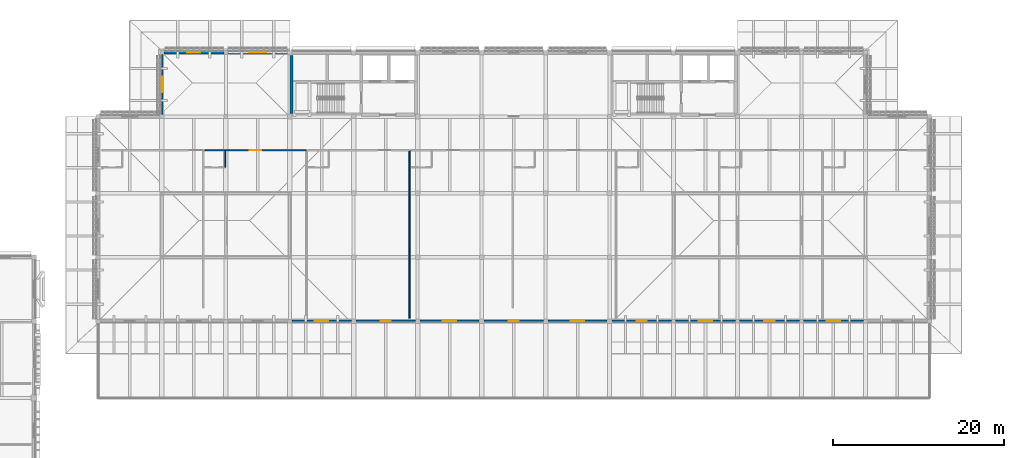
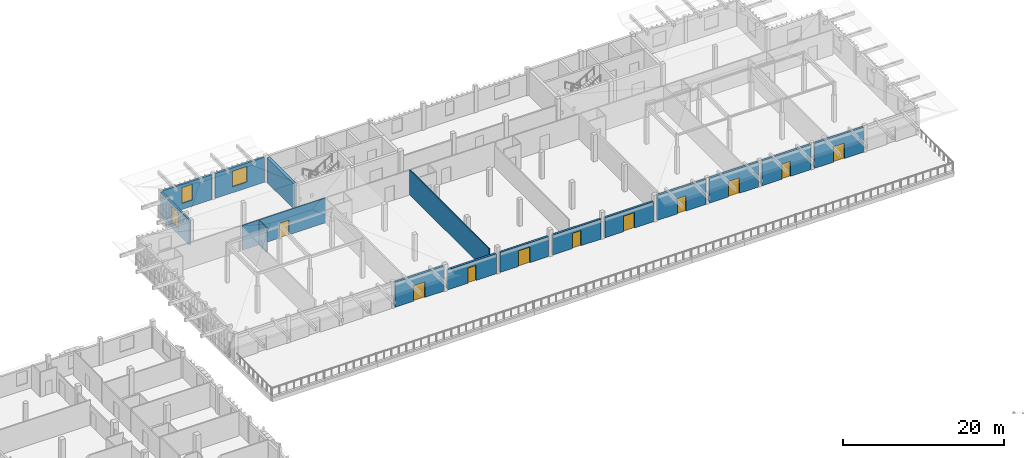
# One storey, part 23 of 48: 16 walls, 10 doors, 3 windows, 13 openings.
"""IFC4 building model written with IfcOpenShell, lengths in metres."""

from ifc_helpers import new_model, si_unit, direction, frame, frame_2d, origin, place, context, subcontext, project, spatial, rectangle, extrude, material, layer, layer_set, type_object, element, fill, save


model = new_model("IFC4")

# Units and contexts
model_context = context("Model", 3, precision=1e-05, world=origin(), true_north=direction((0.0, 1.0)))
body_context = subcontext(model_context, "Body", "Model", "MODEL_VIEW")
ifc_project = project(units=[si_unit("LENGTHUNIT", "METRE"), si_unit("AREAUNIT", "SQUARE_METRE"), si_unit("VOLUMEUNIT", "CUBIC_METRE"), si_unit("PLANEANGLEUNIT", "RADIAN"), si_unit("MASSUNIT", "GRAM", prefix="KILO")], contexts=[model_context])

# Site, building, storey
site_placement = place(None, origin())
site = spatial("IfcSite", under=ifc_project, at=site_placement, CompositionType="ELEMENT")
building_placement = place(site_placement, origin())
building = spatial("IfcBuilding", under=site, at=building_placement, Name="Dalvernix Boulevard General Hospital", CompositionType="ELEMENT")
storey_placement = place(building_placement, frame((0.0, 0.0, 17.85009765625)))
storey = spatial("IfcBuildingStorey", under=building, at=storey_placement, Name="L04", CompositionType="ELEMENT", Elevation=17.85009765625)

# Wall
ifc_material_1 = material(Name="Concrete C40/50", Category="concrete")
ifc_layer_1 = layer(ifc_material_1, 0.39990234375)
ifc_layer_set_1 = layer_set([ifc_layer_1], Name="Concrete C40/50 (WAL-CSW-01)")
wall_type_1 = type_object("IfcWallType", Name="WAL-CSW-01", PredefinedType="SHEAR", material=ifc_layer_set_1)
wall_1_placement = place(storey_placement, frame((60.199951171875, 109.85009765625, 0.0), z_axis=(0.0, 0.0, 1.0), x_axis=(0.0, 1.0, 0.0)))
element("IfcWall", 1, at=wall_1_placement, inside=storey, type_object=wall_type_1, Name="L04 C3 west core wall", PredefinedType="SHEAR", context=body_context, shape_type="SweptSolid", body=[
    extrude(rectangle(XDim=6.7998046875, YDim=0.39990234375, at=frame_2d((3.39990234375, 0.0))), origin(), (0.0, 0.0, 1.0), 3.77001953125),
])

# Wall, opening, window
ifc_material_2 = material(Name="Pressed Catalan clay brick and ceramic spandrel wall C35/45", Category="masonry")
ifc_layer_2 = layer(ifc_material_2, 0.300048828125)
ifc_layer_set_2 = layer_set([ifc_layer_2], Name="Pressed Catalan clay brick and ceramic spandrel wall C35/45 (WAL-EW-02)")
wall_type_2 = type_object("IfcWallType", Name="WAL-EW-02", PredefinedType="STANDARD", material=ifc_layer_set_2)
wall_2_placement = place(storey_placement, frame((45.235107421875, 117.0, 0.0), z_axis=(0.0, 0.0, 1.0), x_axis=(1.0, 0.0, 0.0)))
wall_2 = element("IfcWall", 2, at=wall_2_placement, inside=storey, type_object=wall_type_2, Name="L04 Catalan brick external wall N 6-15", PredefinedType="STANDARD", context=body_context, shape_type="SweptSolid", body=[
    extrude(rectangle(XDim=7.02978515625, YDim=0.300048828125, at=frame_2d((3.514892578125, 0.0))), origin(), (0.0, 0.0, 1.0), 3.77001953125),
])
opening_1_placement = place(wall_2_placement, frame((2.764892578125, 0.0, 0.89990234375)))
opening_1 = element("IfcOpeningElement", 3, at=opening_1_placement, cuts=wall_2, Name="Opening WN-02", PredefinedType="OPENING", context=body_context, shape_type="SweptSolid", body=[
    extrude(rectangle(XDim=1.5, YDim=2.39990234375, at=frame_2d((0.75, 1.199951171875))), frame((0.0, 0.159912109375, 0.0), z_axis=(0.0, -1.0, 0.0), x_axis=(1.0, 0.0, 0.0)), (0.0, 0.0, 1.0), 0.320068359375),
])
ifc_material_3 = material(Name="Thermally broken aluminium frame with solar-control double glazing", Category="aluminium")
window_type_1 = type_object("IfcWindowType", Name="WIN-WN-02", PartitioningType="SINGLE_PANEL", PredefinedType="WINDOW", material=ifc_material_3)
window_1_placement = place(opening_1_placement, origin())
window_1 = element("IfcWindow", 4, at=window_1_placement, inside=storey, type_object=window_type_1, Name="L04 clinical window WN-02 N 6-15", OverallHeight=2.39990234375, OverallWidth=1.5, PartitioningType="SINGLE_PANEL", PredefinedType="WINDOW", context=body_context, shape_type="SweptSolid", body=[
    extrude(rectangle(XDim=1.5, YDim=2.39990234375, at=frame_2d((0.75, 1.199951171875))), frame((0.0, 0.030029296875, 0.0), z_axis=(0.0, -1.0, 0.0), x_axis=(1.0, 0.0, 0.0)), (0.0, 0.0, 1.0), 0.06005859375),
])
fill(opening_1, window_1)

wall_3_placement = place(storey_placement, frame((45.0, 109.735107421875, 0.0), z_axis=(0.0, 0.0, 1.0), x_axis=(0.0, 1.0, 0.0)))
wall_3 = element("IfcWall", 5, at=wall_3_placement, inside=storey, type_object=wall_type_2, Name="L04 Catalan brick external wall W 6-14", PredefinedType="STANDARD", context=body_context, shape_type="SweptSolid", body=[
    extrude(rectangle(XDim=7.02978515625, YDim=0.300048828125, at=frame_2d((3.514892578125, 0.0))), origin(), (0.0, 0.0, 1.0), 3.77001953125),
])
opening_2_placement = place(wall_3_placement, frame((2.614990234375, 0.0, 0.89990234375)))
opening_2 = element("IfcOpeningElement", 6, at=opening_2_placement, cuts=wall_3, Name="Opening WN-01", PredefinedType="OPENING", context=body_context, shape_type="SweptSolid", body=[
    extrude(rectangle(XDim=1.800048828125, YDim=2.39990234375, at=frame_2d((0.89990234375, 1.199951171875))), frame((0.0, 0.159912109375, 0.0), z_axis=(0.0, -1.0, 0.0), x_axis=(1.0, 0.0, 0.0)), (0.0, 0.0, 1.0), 0.320068359375),
])
window_type_2 = type_object("IfcWindowType", Name="WIN-WN-01", PartitioningType="SINGLE_PANEL", PredefinedType="WINDOW", material=ifc_material_3)
window_2_placement = place(opening_2_placement, origin())
window_2 = element("IfcWindow", 7, at=window_2_placement, inside=storey, type_object=window_type_2, Name="L04 clinical window WN-01 W 6-14", OverallHeight=2.39990234375, OverallWidth=1.800048828125, PartitioningType="SINGLE_PANEL", PredefinedType="WINDOW", context=body_context, shape_type="SweptSolid", body=[
    extrude(rectangle(XDim=1.800048828125, YDim=2.39990234375, at=frame_2d((0.89990234375, 1.199951171875))), frame((0.0, 0.030029296875, 0.0), z_axis=(0.0, -1.0, 0.0), x_axis=(1.0, 0.0, 0.0)), (0.0, 0.0, 1.0), 0.06005859375),
])
fill(opening_2, window_2)

wall_4_placement = place(storey_placement, frame((52.735107421875, 117.0, 0.0), z_axis=(0.0, 0.0, 1.0), x_axis=(1.0, 0.0, 0.0)))
wall_4 = element("IfcWall", 8, at=wall_4_placement, inside=storey, type_object=wall_type_2, Name="L04 Catalan brick external wall N 7-15", PredefinedType="STANDARD", context=body_context, shape_type="SweptSolid", body=[
    extrude(rectangle(XDim=7.0048828125, YDim=0.300048828125, at=frame_2d((3.50244140625, 0.0))), origin(), (0.0, 0.0, 1.0), 3.77001953125),
])
opening_3_placement = place(wall_4_placement, frame((2.452392578125, 0.0, 0.89990234375)))
opening_3 = element("IfcOpeningElement", 9, at=opening_3_placement, cuts=wall_4, Name="Opening WN-03", PredefinedType="OPENING", context=body_context, shape_type="SweptSolid", body=[
    extrude(rectangle(XDim=2.10009765625, YDim=2.39990234375, at=frame_2d((1.050048828125, 1.199951171875))), frame((0.0, 0.159912109375, 0.0), z_axis=(0.0, -1.0, 0.0), x_axis=(1.0, 0.0, 0.0)), (0.0, 0.0, 1.0), 0.320068359375),
])
window_type_3 = type_object("IfcWindowType", Name="WIN-WN-03", PartitioningType="SINGLE_PANEL", PredefinedType="WINDOW", material=ifc_material_3)
window_3_placement = place(opening_3_placement, origin())
window_3 = element("IfcWindow", 10, at=window_3_placement, inside=storey, type_object=window_type_3, Name="L04 clinical window WN-03 N 7-15", OverallHeight=2.39990234375, OverallWidth=2.10009765625, PartitioningType="SINGLE_PANEL", PredefinedType="WINDOW", context=body_context, shape_type="SweptSolid", body=[
    extrude(rectangle(XDim=2.10009765625, YDim=2.39990234375, at=frame_2d((1.050048828125, 1.199951171875))), frame((0.0, 0.030029296875, 0.0), z_axis=(0.0, -1.0, 0.0), x_axis=(1.0, 0.0, 0.0)), (0.0, 0.0, 1.0), 0.06005859375),
])
fill(opening_3, window_3)

# Wall, opening, door
wall_5_placement = place(storey_placement, frame((67.215087890625, 85.5, 0.0), z_axis=(0.0, 0.0, 1.0), x_axis=(-1.0, 0.0, 0.0)))
wall_5 = element("IfcWall", 11, at=wall_5_placement, inside=storey, type_object=wall_type_2, Name="L04 Catalan brick external wall S 8-11", PredefinedType="STANDARD", context=body_context, shape_type="SweptSolid", body=[
    extrude(rectangle(XDim=6.97998046875, YDim=0.300048828125, at=frame_2d((3.489990234375, 0.0))), origin(), (0.0, 0.0, 1.0), 3.77001953125),
])
opening_4_placement = place(wall_5_placement, frame((2.68994140625, 0.0, 0.0)))
opening_4 = element("IfcOpeningElement", 12, at=opening_4_placement, cuts=wall_5, Name="Opening TD-16", PredefinedType="OPENING", context=body_context, shape_type="SweptSolid", body=[
    extrude(rectangle(XDim=1.60009765625, YDim=2.35009765625, at=frame_2d((0.800048828125, 1.175048828125))), frame((0.0, 0.159912109375, 0.0), z_axis=(0.0, -1.0, 0.0), x_axis=(1.0, 0.0, 0.0)), (0.0, 0.0, 1.0), 0.320068359375),
])
ifc_material_4 = material(Name="Powder-coated aluminium and laminated safety glass", Category="aluminium")
door_type_1 = type_object("IfcDoorType", Name="DR-TD-16", OperationType="DOUBLE_DOOR_SINGLE_SWING", PredefinedType="DOOR", material=ifc_material_4)
door_1_placement = place(opening_4_placement, origin())
door_1 = element("IfcDoor", 13, at=door_1_placement, inside=storey, type_object=door_type_1, Name="L04 ward terrace access door S 8-11", OperationType="DOUBLE_DOOR_SINGLE_SWING", OverallHeight=2.35009765625, OverallWidth=1.60009765625, PredefinedType="DOOR", context=body_context, shape_type="SweptSolid", body=[
    extrude(rectangle(XDim=1.60009765625, YDim=2.35009765625, at=frame_2d((0.800048828125, 1.175048828125))), frame((0.0, 0.02490234375, 0.0), z_axis=(0.0, -1.0, 0.0), x_axis=(1.0, 0.0, 0.0)), (0.0, 0.0, 1.0), 0.050048828125),
])
fill(opening_4, door_1)

wall_6_placement = place(storey_placement, frame((74.739990234375, 85.5, 0.0), z_axis=(0.0, 0.0, 1.0), x_axis=(-1.0, 0.0, 0.0)))
wall_6 = element("IfcWall", 14, at=wall_6_placement, inside=storey, type_object=wall_type_2, Name="L04 Catalan brick external wall S 9-11", PredefinedType="STANDARD", context=body_context, shape_type="SweptSolid", body=[
    extrude(rectangle(XDim=6.955078125, YDim=0.300048828125, at=frame_2d((3.4775390625, 0.0))), origin(), (0.0, 0.0, 1.0), 3.02978515625),
])
opening_5_placement = place(wall_6_placement, frame((2.87744140625, 0.0, 0.0)))
opening_5 = element("IfcOpeningElement", 15, at=opening_5_placement, cuts=wall_6, Name="Opening TD-12", PredefinedType="OPENING", context=body_context, shape_type="SweptSolid", body=[
    extrude(rectangle(XDim=1.199951171875, YDim=2.300048828125, at=frame_2d((0.60009765625, 1.14990234375))), frame((0.0, 0.159912109375, 0.0), z_axis=(0.0, -1.0, 0.0), x_axis=(1.0, 0.0, 0.0)), (0.0, 0.0, 1.0), 0.320068359375),
])
door_type_2 = type_object("IfcDoorType", Name="DR-TD-12", OperationType="NOTDEFINED", PredefinedType="DOOR", material=ifc_material_4)
door_2_placement = place(opening_5_placement, origin())
door_2 = element("IfcDoor", 16, at=door_2_placement, inside=storey, type_object=door_type_2, Name="L04 ward terrace access door S 9-11", OperationType="SINGLE_SWING_RIGHT", OverallHeight=2.300048828125, OverallWidth=1.199951171875, PredefinedType="DOOR", context=body_context, shape_type="SweptSolid", body=[
    extrude(rectangle(XDim=1.199951171875, YDim=2.300048828125, at=frame_2d((0.60009765625, 1.14990234375))), frame((0.0, 0.02490234375, 0.0), z_axis=(0.0, -1.0, 0.0), x_axis=(1.0, 0.0, 0.0)), (0.0, 0.0, 1.0), 0.050048828125),
])
fill(opening_5, door_2)

wall_7_placement = place(storey_placement, frame((82.215087890625, 85.5, 0.0), z_axis=(0.0, 0.0, 1.0), x_axis=(-1.0, 0.0, 0.0)))
wall_7 = element("IfcWall", 17, at=wall_7_placement, inside=storey, type_object=wall_type_2, Name="L04 Catalan brick external wall S 10-11", PredefinedType="STANDARD", context=body_context, shape_type="SweptSolid", body=[
    extrude(rectangle(XDim=6.955078125, YDim=0.300048828125, at=frame_2d((3.4775390625, 0.0))), origin(), (0.0, 0.0, 1.0), 3.02978515625),
])
opening_6_placement = place(wall_7_placement, frame((2.677490234375, 0.0, 0.0)))
opening_6 = element("IfcOpeningElement", 18, at=opening_6_placement, cuts=wall_7, Name="Opening TD-16", PredefinedType="OPENING", context=body_context, shape_type="SweptSolid", body=[
    extrude(rectangle(XDim=1.60009765625, YDim=2.35009765625, at=frame_2d((0.800048828125, 1.175048828125))), frame((0.0, 0.159912109375, 0.0), z_axis=(0.0, -1.0, 0.0), x_axis=(1.0, 0.0, 0.0)), (0.0, 0.0, 1.0), 0.320068359375),
])
door_3_placement = place(opening_6_placement, origin())
door_3 = element("IfcDoor", 19, at=door_3_placement, inside=storey, type_object=door_type_1, Name="L04 ward terrace access door S 10-11", OperationType="DOUBLE_DOOR_SINGLE_SWING", OverallHeight=2.35009765625, OverallWidth=1.60009765625, PredefinedType="DOOR", context=body_context, shape_type="SweptSolid", body=[
    extrude(rectangle(XDim=1.60009765625, YDim=2.35009765625, at=frame_2d((0.800048828125, 1.175048828125))), frame((0.0, 0.02490234375, 0.0), z_axis=(0.0, -1.0, 0.0), x_axis=(1.0, 0.0, 0.0)), (0.0, 0.0, 1.0), 0.050048828125),
])
fill(opening_6, door_3)

wall_8_placement = place(storey_placement, frame((89.739990234375, 85.5, 0.0), z_axis=(0.0, 0.0, 1.0), x_axis=(-1.0, 0.0, 0.0)))
wall_8 = element("IfcWall", 20, at=wall_8_placement, inside=storey, type_object=wall_type_2, Name="L04 Catalan brick external wall S 11-11", PredefinedType="STANDARD", context=body_context, shape_type="SweptSolid", body=[
    extrude(rectangle(XDim=6.955078125, YDim=0.300048828125, at=frame_2d((3.4775390625, 0.0))), origin(), (0.0, 0.0, 1.0), 3.02978515625),
])
opening_7_placement = place(wall_8_placement, frame((2.87744140625, 0.0, 0.0)))
opening_7 = element("IfcOpeningElement", 21, at=opening_7_placement, cuts=wall_8, Name="Opening TD-12", PredefinedType="OPENING", context=body_context, shape_type="SweptSolid", body=[
    extrude(rectangle(XDim=1.199951171875, YDim=2.300048828125, at=frame_2d((0.60009765625, 1.14990234375))), frame((0.0, 0.159912109375, 0.0), z_axis=(0.0, -1.0, 0.0), x_axis=(1.0, 0.0, 0.0)), (0.0, 0.0, 1.0), 0.320068359375),
])
door_4_placement = place(opening_7_placement, origin())
door_4 = element("IfcDoor", 22, at=door_4_placement, inside=storey, type_object=door_type_2, Name="L04 ward terrace access door S 11-11", OperationType="SINGLE_SWING_RIGHT", OverallHeight=2.300048828125, OverallWidth=1.199951171875, PredefinedType="DOOR", context=body_context, shape_type="SweptSolid", body=[
    extrude(rectangle(XDim=1.199951171875, YDim=2.300048828125, at=frame_2d((0.60009765625, 1.14990234375))), frame((0.0, 0.02490234375, 0.0), z_axis=(0.0, -1.0, 0.0), x_axis=(1.0, 0.0, 0.0)), (0.0, 0.0, 1.0), 0.050048828125),
])
fill(opening_7, door_4)

wall_9_placement = place(storey_placement, frame((97.215087890625, 85.5, 0.0), z_axis=(0.0, 0.0, 1.0), x_axis=(-1.0, 0.0, 0.0)))
wall_9 = element("IfcWall", 23, at=wall_9_placement, inside=storey, type_object=wall_type_2, Name="L04 Catalan brick external wall S 12-11", PredefinedType="STANDARD", context=body_context, shape_type="SweptSolid", body=[
    extrude(rectangle(XDim=6.955078125, YDim=0.300048828125, at=frame_2d((3.4775390625, 0.0))), origin(), (0.0, 0.0, 1.0), 3.02978515625),
])
opening_8_placement = place(wall_9_placement, frame((2.677490234375, 0.0, 0.0)))
opening_8 = element("IfcOpeningElement", 24, at=opening_8_placement, cuts=wall_9, Name="Opening TD-16", PredefinedType="OPENING", context=body_context, shape_type="SweptSolid", body=[
    extrude(rectangle(XDim=1.60009765625, YDim=2.35009765625, at=frame_2d((0.800048828125, 1.175048828125))), frame((0.0, 0.159912109375, 0.0), z_axis=(0.0, -1.0, 0.0), x_axis=(1.0, 0.0, 0.0)), (0.0, 0.0, 1.0), 0.320068359375),
])
door_5_placement = place(opening_8_placement, origin())
door_5 = element("IfcDoor", 25, at=door_5_placement, inside=storey, type_object=door_type_1, Name="L04 ward terrace access door S 12-11", OperationType="DOUBLE_DOOR_SINGLE_SWING", OverallHeight=2.35009765625, OverallWidth=1.60009765625, PredefinedType="DOOR", context=body_context, shape_type="SweptSolid", body=[
    extrude(rectangle(XDim=1.60009765625, YDim=2.35009765625, at=frame_2d((0.800048828125, 1.175048828125))), frame((0.0, 0.02490234375, 0.0), z_axis=(0.0, -1.0, 0.0), x_axis=(1.0, 0.0, 0.0)), (0.0, 0.0, 1.0), 0.050048828125),
])
fill(opening_8, door_5)

wall_10_placement = place(storey_placement, frame((104.764892578125, 85.5, 0.0), z_axis=(0.0, 0.0, 1.0), x_axis=(-1.0, 0.0, 0.0)))
wall_10 = element("IfcWall", 26, at=wall_10_placement, inside=storey, type_object=wall_type_2, Name="L04 Catalan brick external wall S 13-11", PredefinedType="STANDARD", context=body_context, shape_type="SweptSolid", body=[
    extrude(rectangle(XDim=6.97998046875, YDim=0.300048828125, at=frame_2d((3.489990234375, 0.0))), origin(), (0.0, 0.0, 1.0), 3.77001953125),
])
opening_9_placement = place(wall_10_placement, frame((2.889892578125, 0.0, 0.0)))
opening_9 = element("IfcOpeningElement", 27, at=opening_9_placement, cuts=wall_10, Name="Opening TD-12", PredefinedType="OPENING", context=body_context, shape_type="SweptSolid", body=[
    extrude(rectangle(XDim=1.199951171875, YDim=2.300048828125, at=frame_2d((0.60009765625, 1.14990234375))), frame((0.0, 0.159912109375, 0.0), z_axis=(0.0, -1.0, 0.0), x_axis=(1.0, 0.0, 0.0)), (0.0, 0.0, 1.0), 0.320068359375),
])
door_6_placement = place(opening_9_placement, origin())
door_6 = element("IfcDoor", 28, at=door_6_placement, inside=storey, type_object=door_type_2, Name="L04 ward terrace access door S 13-11", OperationType="SINGLE_SWING_RIGHT", OverallHeight=2.300048828125, OverallWidth=1.199951171875, PredefinedType="DOOR", context=body_context, shape_type="SweptSolid", body=[
    extrude(rectangle(XDim=1.199951171875, YDim=2.300048828125, at=frame_2d((0.60009765625, 1.14990234375))), frame((0.0, 0.02490234375, 0.0), z_axis=(0.0, -1.0, 0.0), x_axis=(1.0, 0.0, 0.0)), (0.0, 0.0, 1.0), 0.050048828125),
])
fill(opening_9, door_6)

wall_11_placement = place(storey_placement, frame((112.264892578125, 85.5, 0.0), z_axis=(0.0, 0.0, 1.0), x_axis=(-1.0, 0.0, 0.0)))
wall_11 = element("IfcWall", 29, at=wall_11_placement, inside=storey, type_object=wall_type_2, Name="L04 Catalan brick external wall S 14-11", PredefinedType="STANDARD", context=body_context, shape_type="SweptSolid", body=[
    extrude(rectangle(XDim=7.02978515625, YDim=0.300048828125, at=frame_2d((3.514892578125, 0.0))), origin(), (0.0, 0.0, 1.0), 3.77001953125),
])
opening_10_placement = place(wall_11_placement, frame((2.715087890625, 0.0, 0.0)))
opening_10 = element("IfcOpeningElement", 30, at=opening_10_placement, cuts=wall_11, Name="Opening TD-16", PredefinedType="OPENING", context=body_context, shape_type="SweptSolid", body=[
    extrude(rectangle(XDim=1.60009765625, YDim=2.35009765625, at=frame_2d((0.800048828125, 1.175048828125))), frame((0.0, 0.159912109375, 0.0), z_axis=(0.0, -1.0, 0.0), x_axis=(1.0, 0.0, 0.0)), (0.0, 0.0, 1.0), 0.320068359375),
])
door_7_placement = place(opening_10_placement, origin())
door_7 = element("IfcDoor", 31, at=door_7_placement, inside=storey, type_object=door_type_1, Name="L04 ward terrace access door S 14-11", OperationType="DOUBLE_DOOR_SINGLE_SWING", OverallHeight=2.35009765625, OverallWidth=1.60009765625, PredefinedType="DOOR", context=body_context, shape_type="SweptSolid", body=[
    extrude(rectangle(XDim=1.60009765625, YDim=2.35009765625, at=frame_2d((0.800048828125, 1.175048828125))), frame((0.0, 0.02490234375, 0.0), z_axis=(0.0, -1.0, 0.0), x_axis=(1.0, 0.0, 0.0)), (0.0, 0.0, 1.0), 0.050048828125),
])
fill(opening_10, door_7)

wall_12_placement = place(storey_placement, frame((119.764892578125, 85.5, 0.0), z_axis=(0.0, 0.0, 1.0), x_axis=(-1.0, 0.0, 0.0)))
wall_12 = element("IfcWall", 32, at=wall_12_placement, inside=storey, type_object=wall_type_2, Name="L04 Catalan brick external wall S 15-11", PredefinedType="STANDARD", context=body_context, shape_type="SweptSolid", body=[
    extrude(rectangle(XDim=7.02978515625, YDim=0.300048828125, at=frame_2d((3.514892578125, 0.0))), origin(), (0.0, 0.0, 1.0), 3.77001953125),
])
opening_11_placement = place(wall_12_placement, frame((2.9150390625, 0.0, 0.0)))
opening_11 = element("IfcOpeningElement", 33, at=opening_11_placement, cuts=wall_12, Name="Opening TD-12", PredefinedType="OPENING", context=body_context, shape_type="SweptSolid", body=[
    extrude(rectangle(XDim=1.199951171875, YDim=2.300048828125, at=frame_2d((0.60009765625, 1.14990234375))), frame((0.0, 0.159912109375, 0.0), z_axis=(0.0, -1.0, 0.0), x_axis=(1.0, 0.0, 0.0)), (0.0, 0.0, 1.0), 0.320068359375),
])
door_8_placement = place(opening_11_placement, origin())
door_8 = element("IfcDoor", 34, at=door_8_placement, inside=storey, type_object=door_type_2, Name="L04 ward terrace access door S 15-11", OperationType="SINGLE_SWING_RIGHT", OverallHeight=2.300048828125, OverallWidth=1.199951171875, PredefinedType="DOOR", context=body_context, shape_type="SweptSolid", body=[
    extrude(rectangle(XDim=1.199951171875, YDim=2.300048828125, at=frame_2d((0.60009765625, 1.14990234375))), frame((0.0, 0.02490234375, 0.0), z_axis=(0.0, -1.0, 0.0), x_axis=(1.0, 0.0, 0.0)), (0.0, 0.0, 1.0), 0.050048828125),
])
fill(opening_11, door_8)

wall_13_placement = place(storey_placement, frame((127.264892578125, 85.5, 0.0), z_axis=(0.0, 0.0, 1.0), x_axis=(-1.0, 0.0, 0.0)))
wall_13 = element("IfcWall", 35, at=wall_13_placement, inside=storey, type_object=wall_type_2, Name="L04 Catalan brick external wall S 16-11", PredefinedType="STANDARD", context=body_context, shape_type="SweptSolid", body=[
    extrude(rectangle(XDim=7.02978515625, YDim=0.300048828125, at=frame_2d((3.514892578125, 0.0))), origin(), (0.0, 0.0, 1.0), 3.77001953125),
])
opening_12_placement = place(wall_13_placement, frame((2.715087890625, 0.0, 0.0)))
opening_12 = element("IfcOpeningElement", 36, at=opening_12_placement, cuts=wall_13, Name="Opening TD-16", PredefinedType="OPENING", context=body_context, shape_type="SweptSolid", body=[
    extrude(rectangle(XDim=1.60009765625, YDim=2.35009765625, at=frame_2d((0.800048828125, 1.175048828125))), frame((0.0, 0.159912109375, 0.0), z_axis=(0.0, -1.0, 0.0), x_axis=(1.0, 0.0, 0.0)), (0.0, 0.0, 1.0), 0.320068359375),
])
door_9_placement = place(opening_12_placement, origin())
door_9 = element("IfcDoor", 37, at=door_9_placement, inside=storey, type_object=door_type_1, Name="L04 ward terrace access door S 16-11", OperationType="DOUBLE_DOOR_SINGLE_SWING", OverallHeight=2.35009765625, OverallWidth=1.60009765625, PredefinedType="DOOR", context=body_context, shape_type="SweptSolid", body=[
    extrude(rectangle(XDim=1.60009765625, YDim=2.35009765625, at=frame_2d((0.800048828125, 1.175048828125))), frame((0.0, 0.02490234375, 0.0), z_axis=(0.0, -1.0, 0.0), x_axis=(1.0, 0.0, 0.0)), (0.0, 0.0, 1.0), 0.050048828125),
])
fill(opening_12, door_9)

ifc_material_5 = material(Name="Acoustic double-stud gypsum inpatient partition")
ifc_layer_3 = layer(ifc_material_5, 0.14990234375)
ifc_layer_set_3 = layer_set([ifc_layer_3], Name="Acoustic double-stud gypsum inpatient partition (WAL-IW-04)")
wall_type_3 = type_object("IfcWallType", Name="WAL-IW-04", PredefinedType="PARTITIONING", material=ifc_layer_set_3)
wall_14_placement = place(storey_placement, frame((61.949951171875, 105.550048828125, 0.0), z_axis=(0.0, 0.0, 1.0), x_axis=(-1.0, 0.0, 0.0)))
wall_14 = element("IfcWall", 38, at=wall_14_placement, inside=storey, type_object=wall_type_3, Name="L04 Post-Operative Surgical Patient Room L04-02 corridor wall", PredefinedType="PARTITIONING", context=body_context, shape_type="SweptSolid", body=[
    extrude(rectangle(XDim=11.89990234375, YDim=0.14990234375, at=frame_2d((5.949951171875, 0.0))), origin(), (0.0, 0.0, 1.0), 3.7548828125),
])
opening_13_placement = place(wall_14_placement, frame((5.27490234375, 0.0, 0.0)))
opening_13 = element("IfcOpeningElement", 39, at=opening_13_placement, cuts=wall_14, Name="Opening ID-01", PredefinedType="OPENING", context=body_context, shape_type="SweptSolid", body=[
    extrude(rectangle(XDim=1.35009765625, YDim=2.25, at=frame_2d((0.675048828125, 1.125))), frame((0.0, 0.0849609375, 0.0), z_axis=(0.0, -1.0, 0.0), x_axis=(1.0, 0.0, 0.0)), (0.0, 0.0, 1.0), 0.169921875),
])
ifc_material_6 = material(Name="Hospital laminate acoustic timber and steel frame", Category="steel")
door_type_3 = type_object("IfcDoorType", Name="DR-ID-01", OperationType="NOTDEFINED", PredefinedType="DOOR", material=ifc_material_6)
door_10_placement = place(opening_13_placement, origin())
door_10 = element("IfcDoor", 40, at=door_10_placement, inside=storey, type_object=door_type_3, Name="L04 Post-Operative Surgical Patient Room L04-02 door", OperationType="SINGLE_SWING_LEFT", OverallHeight=2.25, OverallWidth=1.35009765625, PredefinedType="DOOR", context=body_context, shape_type="SweptSolid", body=[
    extrude(rectangle(XDim=1.35009765625, YDim=2.25, at=frame_2d((0.675048828125, 1.125))), frame((0.0, 0.02490234375, 0.0), z_axis=(0.0, -1.0, 0.0), x_axis=(1.0, 0.0, 0.0)), (0.0, 0.0, 1.0), 0.050048828125),
])
fill(opening_13, door_10)

# Walls
wall_15_placement = place(storey_placement, frame((74.050048828125, 85.85009765625, 0.0), z_axis=(0.0, 0.0, 1.0), x_axis=(0.0, 1.0, 0.0)))
element("IfcWall", 41, at=wall_15_placement, inside=storey, type_object=wall_type_3, Name="L04 Post-Operative Surgical Patient Room L04-03 partition", PredefinedType="PARTITIONING", context=body_context, shape_type="SweptSolid", body=[
    extrude(rectangle(XDim=19.699951171875, YDim=0.14990234375, at=frame_2d((9.85009765625, 0.0))), origin(), (0.0, 0.0, 1.0), 3.7548828125),
])
ifc_material_7 = material(Name="Moisture-resistant en-suite bathroom partition")
ifc_layer_4 = layer(ifc_material_7, 0.1201171875)
ifc_layer_set_4 = layer_set([ifc_layer_4], Name="Moisture-resistant en-suite bathroom partition (WAL-IW-05)")
wall_type_4 = type_object("IfcWallType", Name="WAL-IW-05", PredefinedType="PARTITIONING", material=ifc_layer_set_4)
wall_16_placement = place(storey_placement, frame((52.449951171875, 103.550048828125, 0.0), z_axis=(0.0, 0.0, 1.0), x_axis=(0.0, 1.0, 0.0)))
element("IfcWall", 42, at=wall_16_placement, inside=storey, type_object=wall_type_4, Name="L04 en-suite bathroom side wall", PredefinedType="PARTITIONING", context=body_context, shape_type="SweptSolid", body=[
    extrude(rectangle(XDim=2.0, YDim=0.1201171875, at=frame_2d((1.0, 0.0))), origin(), (0.0, 0.0, 1.0), 3.7548828125),
])

save(model, "model.ifc")
